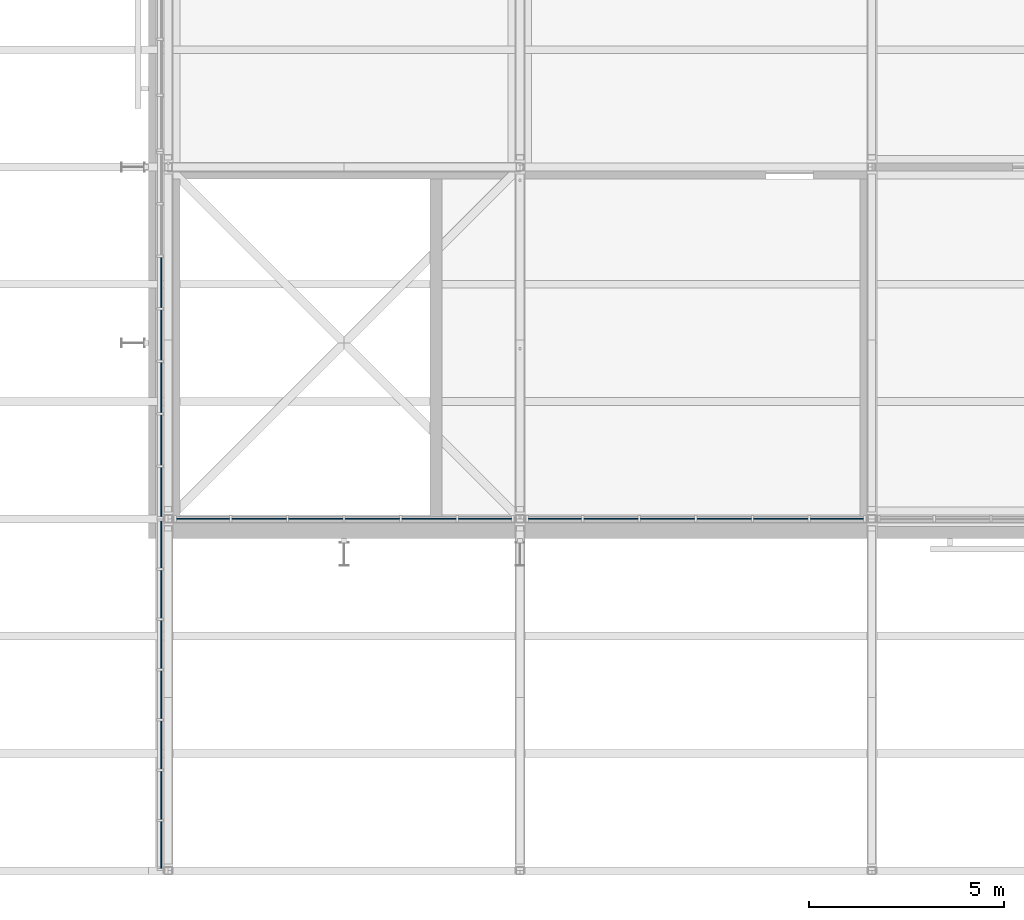
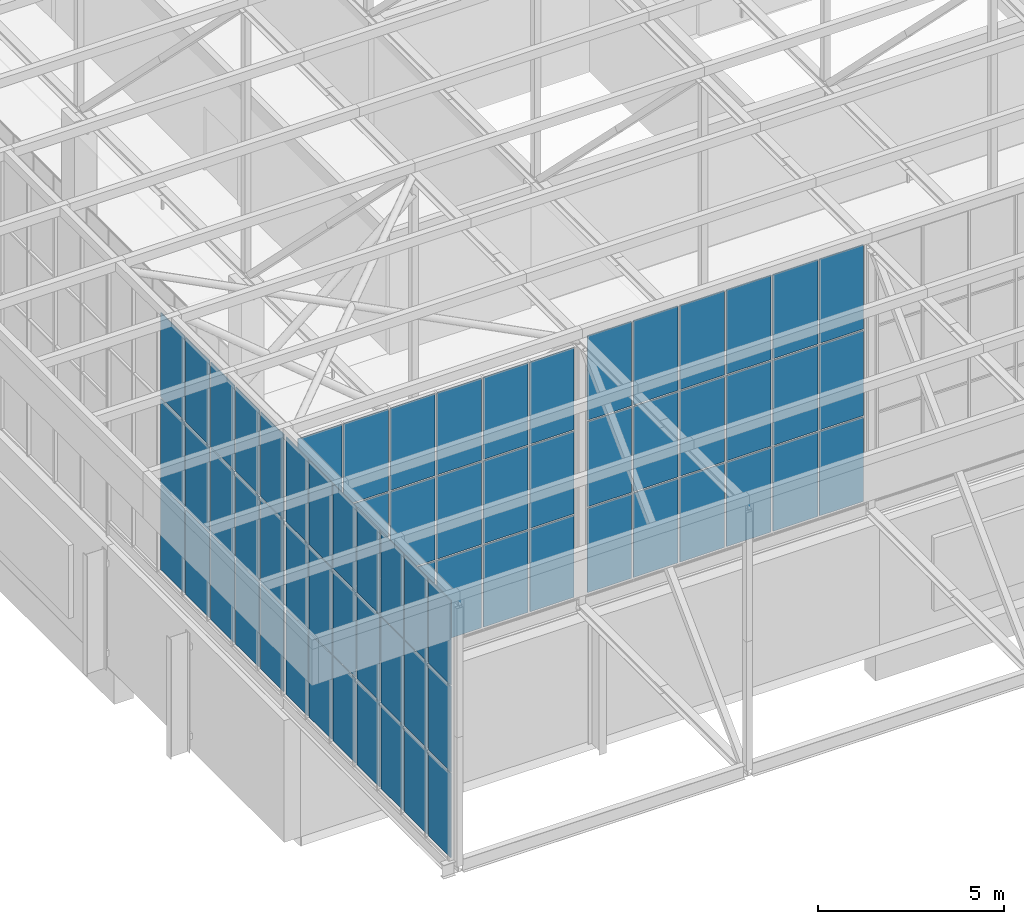
# One storey, part 141 of 646: 72 plates, 4 elements without a shape of their own.
"""IFC4 building model written with IfcOpenShell, lengths in metres."""

import ifcopenshell
import ifcopenshell.guid

model = None  # the IFC model being written
_history = None  # IfcOwnerHistory: only IFC2X3 demands one
_inside = {}  # id of a spatial element -> (the spatial element, [elements in it])
_under = {}  # id of a project, library or spatial element -> (it, [spatial elements below it])
_declared = {}  # id of a project -> (the project, [libraries it declares])
_typed = {}  # id of a type object -> (the type object, [elements of that type])
_made_of = {}  # id of a material, layer set ... -> (it, [elements and type objects made of it])


def new_model(schema):
    """Start an empty IFC model of exactly this schema.

    Asked for "IFC4X3", IfcOpenShell would pick the latest addendum, in which some entities
    have other attributes; the version numbers below select the first issue.
    IFC2X3 requires an IfcOwnerHistory on every rooted entity: one is made here for all.
    """
    global model, _history
    if schema == "IFC4X3":
        model = ifcopenshell.file(schema_version=(4, 3, 0, 0))
    else:
        model = ifcopenshell.file(schema=schema)
    _inside.clear()
    _under.clear()
    _declared.clear()
    _typed.clear()
    _made_of.clear()
    _history = None
    if model.schema == "IFC2X3":
        org = make("IfcOrganization", Name="unknown")
        user = make(
            "IfcPersonAndOrganization",
            ThePerson=make("IfcPerson", FamilyName="unknown"),
            TheOrganization=org,
        )
        app = make(
            "IfcApplication",
            ApplicationDeveloper=org,
            Version="unknown",
            ApplicationFullName="unknown",
            ApplicationIdentifier="unknown",
        )
        _history = make(
            "IfcOwnerHistory",
            OwningUser=user,
            OwningApplication=app,
            ChangeAction="ADDED",
            CreationDate=0,
        )
    return model


def make(cls, **values):
    """One entity of the class cls with the attributes given. An attribute that is None is left unset."""
    return model.create_entity(
        cls, **{name: value for name, value in values.items() if value is not None}
    )


def rooted(cls, **values):
    """An entity with a GlobalId (a new one), such as an element, a storey or a relation."""
    return make(cls, GlobalId=ifcopenshell.guid.new(), OwnerHistory=_history, **values)


def si_unit(unit_type, name, prefix=None):
    """IfcSIUnit, for example si_unit("LENGTHUNIT", "METRE", prefix="MILLI")."""
    return make("IfcSIUnit", UnitType=unit_type, Prefix=prefix, Name=name)


def assignment(units):
    """IfcUnitAssignment: the units of a project."""
    return None if units is None else make("IfcUnitAssignment", Units=units)


def point(xyz):
    """IfcCartesianPoint."""
    return None if xyz is None else make("IfcCartesianPoint", Coordinates=xyz)


def direction(xyz):
    """IfcDirection."""
    return None if xyz is None else make("IfcDirection", DirectionRatios=xyz)


def frame(location, z_axis=None, x_axis=None):
    """IfcAxis2Placement3D, a coordinate frame: its origin and axes. An axis left out is left unset."""
    return make(
        "IfcAxis2Placement3D",
        Location=point(location),
        Axis=direction(z_axis),
        RefDirection=direction(x_axis),
    )


def frame_2d(location, x_axis=None):
    """IfcAxis2Placement2D, a coordinate frame in the plane: its origin and x axis."""
    return make(
        "IfcAxis2Placement2D", Location=point(location), RefDirection=direction(x_axis)
    )


def origin():
    """The frame at (0, 0, 0) with its axes left unset."""
    return frame((0.0, 0.0, 0.0))


def origin_2d():
    """The frame at (0, 0) in the plane with its x axis left unset."""
    return frame_2d((0.0, 0.0))


def place(relative_to, where):
    """IfcLocalPlacement: puts the frame where relative to a parent placement (None: the world)."""
    return make(
        "IfcLocalPlacement", PlacementRelTo=relative_to, RelativePlacement=where
    )


def context(
    kind, dimensions, precision=None, world=None, true_north=None, identifier=None
):
    """IfcGeometricRepresentationContext, for example the 3D "Model" context."""
    return make(
        "IfcGeometricRepresentationContext",
        ContextIdentifier=identifier,
        ContextType=kind,
        CoordinateSpaceDimension=dimensions,
        Precision=precision,
        WorldCoordinateSystem=world,
        TrueNorth=true_north,
    )


def subcontext(parent, identifier, kind, view, scale=None):
    """IfcGeometricRepresentationSubContext, for example "Body" below "Model"."""
    return make(
        "IfcGeometricRepresentationSubContext",
        ContextIdentifier=identifier,
        ContextType=kind,
        ParentContext=parent,
        TargetScale=scale,
        TargetView=view,
    )


def project(units=None, contexts=None):
    """IfcProject with its units and contexts."""
    return rooted(
        "IfcProject",
        Name="project",
        RepresentationContexts=contexts,
        UnitsInContext=assignment(units),
    )


def spatial(cls, under=None, at=None, **own):
    """A site, building, storey or space (cls), placed at a placement, below another one or the project."""
    s = rooted(cls, ObjectPlacement=at, **own)
    if under is not None:
        _under.setdefault(under.id(), (under, []))[1].append(s)
    return s


def profile(cls, at=None, kind="AREA", **sizes):
    """A parametric profile (cls). Its sizes go by their IFC names, for example OverallWidth=200.0."""
    return make(cls, ProfileType=kind, Position=at, **sizes)


def rectangle(**sizes):
    """IfcRectangleProfileDef."""
    return profile("IfcRectangleProfileDef", **sizes)


def extrude(swept, where, along, depth):
    """IfcExtrudedAreaSolid: the profile swept, set in the frame where, extruded along a direction by depth."""
    return make(
        "IfcExtrudedAreaSolid",
        SweptArea=swept,
        Position=where,
        ExtrudedDirection=direction(along),
        Depth=depth,
    )


def shape(context_of_items, identifier, shape_type, items):
    """IfcShapeRepresentation: the items that make up one representation, for example the "Body"."""
    return make(
        "IfcShapeRepresentation",
        ContextOfItems=context_of_items,
        RepresentationIdentifier=identifier,
        RepresentationType=shape_type,
        Items=items,
    )


def material(Name=None, Category=None):
    """IfcMaterial."""
    return make("IfcMaterial", Name=Name, Category=Category)


def layer(
    of_material, thickness, ventilated=None, Name=None, Category=None, Priority=None
):
    """IfcMaterialLayer: one layer of a wall or slab, of a material (None: an air gap)."""
    return make(
        "IfcMaterialLayer",
        Material=of_material,
        LayerThickness=thickness,
        IsVentilated=ventilated,
        Name=Name,
        Category=Category,
        Priority=Priority,
    )


def layer_set(layers, Name=None):
    """IfcMaterialLayerSet."""
    return make("IfcMaterialLayerSet", MaterialLayers=layers, LayerSetName=Name)


def made_of(thing, what):
    """Note that an element or type object is made of a material, layer set ...; save() writes the relation."""
    if what is not None:
        _made_of.setdefault(what.id(), (what, []))[1].append(thing)
    return thing


def type_object(cls, material=None, **own):
    """A type object (cls), such as IfcWallType, which elements share."""
    return made_of(rooted(cls, **own), material)


def element(
    cls,
    number,
    at=None,
    inside=None,
    cuts=None,
    type_object=None,
    material=None,
    context=None,
    identifier="Body",
    shape_type=None,
    held_by="IfcProductDefinitionShape",
    body=None,
    shapes=None,
    **own,
):
    """One element of the class cls, such as IfcWall. Its Tag is "e" and its number.

    at: its placement. inside: the storey or other place that contains it. cuts: it is an
    opening in that element (IfcRelVoidsElement). A single representation is given by context,
    identifier, shape_type and body (its items); several are given by shapes. held_by: the class
    of the entity that holds the representations. save() writes the other relations.
    """
    e = rooted(cls, Tag="e%d" % number, ObjectPlacement=at, **own)
    if body is not None:
        shapes = [shape(context, identifier, shape_type, body)]
    if shapes is not None:
        e.Representation = make(held_by, Representations=shapes)
    if inside is not None:
        _inside.setdefault(inside.id(), (inside, []))[1].append(e)
    if cuts is not None:
        rooted(
            "IfcRelVoidsElement", RelatingBuildingElement=cuts, RelatedOpeningElement=e
        )
    if type_object is not None:
        _typed.setdefault(type_object.id(), (type_object, []))[1].append(e)
    return made_of(e, material)


def aggregate(whole, parts):
    """IfcRelAggregates: a whole, such as a stair, and the parts it consists of."""
    return rooted("IfcRelAggregates", RelatingObject=whole, RelatedObjects=parts)


def save(model, path):
    """Write the relations noted so far, then the file.

    IfcRelAggregates (storeys below a building ...), IfcRelContainedInSpatialStructure (elements
    in a storey), IfcRelDefinesByType, IfcRelAssociatesMaterial and IfcRelDeclares: one each for
    every whole, place, type object, material and project.
    """
    for whole, parts in _under.values():
        aggregate(whole, parts)
    for where, things in _inside.values():
        rooted(
            "IfcRelContainedInSpatialStructure",
            RelatedElements=things,
            RelatingStructure=where,
        )
    for kind, things in _typed.values():
        rooted("IfcRelDefinesByType", RelatedObjects=things, RelatingType=kind)
    for what, things in _made_of.values():
        rooted("IfcRelAssociatesMaterial", RelatedObjects=things, RelatingMaterial=what)
    for by, libraries in _declared.values():
        rooted("IfcRelDeclares", RelatingContext=by, RelatedDefinitions=libraries)
    model.write(path)


model = new_model("IFC4")

# Units and contexts
model_context = context("Model", 3, precision=1e-05, world=origin(), true_north=direction((0.0, 1.0)))
body_context = subcontext(model_context, "Body", "Model", "MODEL_VIEW")
ifc_project = project(units=[si_unit("LENGTHUNIT", "METRE"), si_unit("AREAUNIT", "SQUARE_METRE"), si_unit("VOLUMEUNIT", "CUBIC_METRE"), si_unit("PLANEANGLEUNIT", "RADIAN"), si_unit("MASSUNIT", "GRAM", prefix="KILO")], contexts=[model_context])

# Site, building, storey
site_placement = place(None, origin())
site = spatial("IfcSite", under=ifc_project, at=site_placement, CompositionType="ELEMENT")
building_placement = place(site_placement, origin())
building = spatial("IfcBuilding", under=site, at=building_placement, Name="Silverbay Arena", CompositionType="ELEMENT")
storey_placement = place(building_placement, frame((0.0, 0.0, 33.5)))
storey = spatial("IfcBuildingStorey", under=building, at=storey_placement, Name="L05", CompositionType="ELEMENT", Elevation=33.5)

# Curtain wall, plates
ifc_material_1 = material(Name="Aluminium framed glazing", Category="aluminium")
curtain_wall_type_1 = type_object("IfcCurtainWallType", Name="Curtain wall clerestory 8693 x 8303", PredefinedType="NOTDEFINED", material=ifc_material_1)
curtain_wall_1_placement = place(storey_placement, origin())
curtain_wall_1 = element("IfcCurtainWall", 1, at=curtain_wall_1_placement, inside=storey, type_object=curtain_wall_type_1, Name="ROOF CLERESTORY CURTAIN WALL south bay 01", PredefinedType="NOTDEFINED")
ifc_material_2 = material(Name="Laminated glass", Category="glass")
ifc_layer = layer(ifc_material_2, 0.028076171875)
ifc_layer_set = layer_set([ifc_layer], Name="Laminated glass")
plate_type = type_object("IfcPlateType", Name="Glass panel 28", PredefinedType="CURTAIN_PANEL", material=ifc_layer_set)
plate_1_placement = place(storey_placement, frame((54.89306640625, 18.0, 4.510009765625), z_axis=(0.0, 0.0, 1.0), x_axis=(1.0, 0.0, 0.0)))
plate_1 = element("IfcPlate", 2, at=plate_1_placement, type_object=plate_type, Name="CW54 panel 1.1", PredefinedType="CURTAIN_PANEL", context=body_context, shape_type="SweptSolid", body=[
    extrude(rectangle(XDim=1.35888671875, YDim=0.028076171875, at=origin_2d()), origin(), (0.0, 0.0, 1.0), 2.69287109375),
])
plate_2_placement = place(storey_placement, frame((54.89306640625, 18.0, 7.2529296875), z_axis=(0.0, 0.0, 1.0), x_axis=(1.0, 0.0, 0.0)))
plate_2 = element("IfcPlate", 3, at=plate_2_placement, type_object=plate_type, Name="CW54 panel 1.2", PredefinedType="CURTAIN_PANEL", context=body_context, shape_type="SweptSolid", body=[
    extrude(rectangle(XDim=1.35888671875, YDim=0.028076171875, at=origin_2d()), origin(), (0.0, 0.0, 1.0), 2.7177734375),
])
plate_3_placement = place(storey_placement, frame((54.89306640625, 18.0, 10.0205078125), z_axis=(0.0, 0.0, 1.0), x_axis=(1.0, 0.0, 0.0)))
plate_3 = element("IfcPlate", 4, at=plate_3_placement, type_object=plate_type, Name="CW54 panel 1.3", PredefinedType="CURTAIN_PANEL", context=body_context, shape_type="SweptSolid", body=[
    extrude(rectangle(XDim=1.35888671875, YDim=0.028076171875, at=origin_2d()), origin(), (0.0, 0.0, 1.0), 2.69287109375),
])
plate_4_placement = place(storey_placement, frame((56.326904296875, 18.0, 4.510009765625), z_axis=(0.0, 0.0, 1.0), x_axis=(1.0, 0.0, 0.0)))
plate_4 = element("IfcPlate", 5, at=plate_4_placement, type_object=plate_type, Name="CW54 panel 2.1", PredefinedType="CURTAIN_PANEL", context=body_context, shape_type="SweptSolid", body=[
    extrude(rectangle(XDim=1.388671875, YDim=0.028076171875, at=origin_2d()), origin(), (0.0, 0.0, 1.0), 2.69287109375),
])
plate_5_placement = place(storey_placement, frame((56.326904296875, 18.0, 7.2529296875), z_axis=(0.0, 0.0, 1.0), x_axis=(1.0, 0.0, 0.0)))
plate_5 = element("IfcPlate", 6, at=plate_5_placement, type_object=plate_type, Name="CW54 panel 2.2", PredefinedType="CURTAIN_PANEL", context=body_context, shape_type="SweptSolid", body=[
    extrude(rectangle(XDim=1.388671875, YDim=0.028076171875, at=origin_2d()), origin(), (0.0, 0.0, 1.0), 2.7177734375),
])
plate_6_placement = place(storey_placement, frame((56.326904296875, 18.0, 10.0205078125), z_axis=(0.0, 0.0, 1.0), x_axis=(1.0, 0.0, 0.0)))
plate_6 = element("IfcPlate", 7, at=plate_6_placement, type_object=plate_type, Name="CW54 panel 2.3", PredefinedType="CURTAIN_PANEL", context=body_context, shape_type="SweptSolid", body=[
    extrude(rectangle(XDim=1.388671875, YDim=0.028076171875, at=origin_2d()), origin(), (0.0, 0.0, 1.0), 2.69287109375),
])
plate_7_placement = place(storey_placement, frame((57.775634765625, 18.0, 4.510009765625), z_axis=(0.0, 0.0, 1.0), x_axis=(1.0, 0.0, 0.0)))
plate_7 = element("IfcPlate", 8, at=plate_7_placement, type_object=plate_type, Name="CW54 panel 3.1", PredefinedType="CURTAIN_PANEL", context=body_context, shape_type="SweptSolid", body=[
    extrude(rectangle(XDim=1.388671875, YDim=0.028076171875, at=origin_2d()), origin(), (0.0, 0.0, 1.0), 2.69287109375),
])
plate_8_placement = place(storey_placement, frame((57.775634765625, 18.0, 7.2529296875), z_axis=(0.0, 0.0, 1.0), x_axis=(1.0, 0.0, 0.0)))
plate_8 = element("IfcPlate", 9, at=plate_8_placement, type_object=plate_type, Name="CW54 panel 3.2", PredefinedType="CURTAIN_PANEL", context=body_context, shape_type="SweptSolid", body=[
    extrude(rectangle(XDim=1.388671875, YDim=0.028076171875, at=origin_2d()), origin(), (0.0, 0.0, 1.0), 2.7177734375),
])
plate_9_placement = place(storey_placement, frame((57.775634765625, 18.0, 10.0205078125), z_axis=(0.0, 0.0, 1.0), x_axis=(1.0, 0.0, 0.0)))
plate_9 = element("IfcPlate", 10, at=plate_9_placement, type_object=plate_type, Name="CW54 panel 3.3", PredefinedType="CURTAIN_PANEL", context=body_context, shape_type="SweptSolid", body=[
    extrude(rectangle(XDim=1.388671875, YDim=0.028076171875, at=origin_2d()), origin(), (0.0, 0.0, 1.0), 2.69287109375),
])
plate_10_placement = place(storey_placement, frame((59.224365234375, 18.0, 4.510009765625), z_axis=(0.0, 0.0, 1.0), x_axis=(1.0, 0.0, 0.0)))
plate_10 = element("IfcPlate", 11, at=plate_10_placement, type_object=plate_type, Name="CW54 panel 4.1", PredefinedType="CURTAIN_PANEL", context=body_context, shape_type="SweptSolid", body=[
    extrude(rectangle(XDim=1.388671875, YDim=0.028076171875, at=origin_2d()), origin(), (0.0, 0.0, 1.0), 2.69287109375),
])
plate_11_placement = place(storey_placement, frame((59.224365234375, 18.0, 7.2529296875), z_axis=(0.0, 0.0, 1.0), x_axis=(1.0, 0.0, 0.0)))
plate_11 = element("IfcPlate", 12, at=plate_11_placement, type_object=plate_type, Name="CW54 panel 4.2", PredefinedType="CURTAIN_PANEL", context=body_context, shape_type="SweptSolid", body=[
    extrude(rectangle(XDim=1.388671875, YDim=0.028076171875, at=origin_2d()), origin(), (0.0, 0.0, 1.0), 2.7177734375),
])
plate_12_placement = place(storey_placement, frame((59.224365234375, 18.0, 10.0205078125), z_axis=(0.0, 0.0, 1.0), x_axis=(1.0, 0.0, 0.0)))
plate_12 = element("IfcPlate", 13, at=plate_12_placement, type_object=plate_type, Name="CW54 panel 4.3", PredefinedType="CURTAIN_PANEL", context=body_context, shape_type="SweptSolid", body=[
    extrude(rectangle(XDim=1.388671875, YDim=0.028076171875, at=origin_2d()), origin(), (0.0, 0.0, 1.0), 2.69287109375),
])
plate_13_placement = place(storey_placement, frame((60.673095703125, 18.0, 4.510009765625), z_axis=(0.0, 0.0, 1.0), x_axis=(1.0, 0.0, 0.0)))
plate_13 = element("IfcPlate", 14, at=plate_13_placement, type_object=plate_type, Name="CW54 panel 5.1", PredefinedType="CURTAIN_PANEL", context=body_context, shape_type="SweptSolid", body=[
    extrude(rectangle(XDim=1.388671875, YDim=0.028076171875, at=origin_2d()), origin(), (0.0, 0.0, 1.0), 2.69287109375),
])
plate_14_placement = place(storey_placement, frame((60.673095703125, 18.0, 7.2529296875), z_axis=(0.0, 0.0, 1.0), x_axis=(1.0, 0.0, 0.0)))
plate_14 = element("IfcPlate", 15, at=plate_14_placement, type_object=plate_type, Name="CW54 panel 5.2", PredefinedType="CURTAIN_PANEL", context=body_context, shape_type="SweptSolid", body=[
    extrude(rectangle(XDim=1.388671875, YDim=0.028076171875, at=origin_2d()), origin(), (0.0, 0.0, 1.0), 2.7177734375),
])
plate_15_placement = place(storey_placement, frame((60.673095703125, 18.0, 10.0205078125), z_axis=(0.0, 0.0, 1.0), x_axis=(1.0, 0.0, 0.0)))
plate_15 = element("IfcPlate", 16, at=plate_15_placement, type_object=plate_type, Name="CW54 panel 5.3", PredefinedType="CURTAIN_PANEL", context=body_context, shape_type="SweptSolid", body=[
    extrude(rectangle(XDim=1.388671875, YDim=0.028076171875, at=origin_2d()), origin(), (0.0, 0.0, 1.0), 2.69287109375),
])
plate_16_placement = place(storey_placement, frame((62.10693359375, 18.0, 4.510009765625), z_axis=(0.0, 0.0, 1.0), x_axis=(1.0, 0.0, 0.0)))
plate_16 = element("IfcPlate", 17, at=plate_16_placement, type_object=plate_type, Name="CW54 panel 6.1", PredefinedType="CURTAIN_PANEL", context=body_context, shape_type="SweptSolid", body=[
    extrude(rectangle(XDim=1.35888671875, YDim=0.028076171875, at=origin_2d()), origin(), (0.0, 0.0, 1.0), 2.69287109375),
])
plate_17_placement = place(storey_placement, frame((62.10693359375, 18.0, 7.2529296875), z_axis=(0.0, 0.0, 1.0), x_axis=(1.0, 0.0, 0.0)))
plate_17 = element("IfcPlate", 18, at=plate_17_placement, type_object=plate_type, Name="CW54 panel 6.2", PredefinedType="CURTAIN_PANEL", context=body_context, shape_type="SweptSolid", body=[
    extrude(rectangle(XDim=1.35888671875, YDim=0.028076171875, at=origin_2d()), origin(), (0.0, 0.0, 1.0), 2.7177734375),
])
plate_18_placement = place(storey_placement, frame((62.10693359375, 18.0, 10.0205078125), z_axis=(0.0, 0.0, 1.0), x_axis=(1.0, 0.0, 0.0)))
plate_18 = element("IfcPlate", 19, at=plate_18_placement, type_object=plate_type, Name="CW54 panel 6.3", PredefinedType="CURTAIN_PANEL", context=body_context, shape_type="SweptSolid", body=[
    extrude(rectangle(XDim=1.35888671875, YDim=0.028076171875, at=origin_2d()), origin(), (0.0, 0.0, 1.0), 2.69287109375),
])
aggregate(curtain_wall_1, [plate_1, plate_2, plate_3, plate_4, plate_5, plate_6, plate_7, plate_8, plate_9, plate_10, plate_11, plate_12, plate_13, plate_14, plate_15, plate_16, plate_17, plate_18])

ifc_material_3 = material(Name="Aluminium framed glazing", Category="aluminium")
curtain_wall_type_2 = type_object("IfcCurtainWallType", Name="Curtain wall clerestory 8693 x 8540", PredefinedType="NOTDEFINED", material=ifc_material_3)
curtain_wall_2_placement = place(storey_placement, origin())
curtain_wall_2 = element("IfcCurtainWall", 20, at=curtain_wall_2_placement, inside=storey, type_object=curtain_wall_type_2, Name="ROOF CLERESTORY CURTAIN WALL south bay 02", PredefinedType="NOTDEFINED")
plate_19_placement = place(storey_placement, frame((63.89306640625, 18.0, 4.509765625), z_axis=(0.0, 0.0, 1.0), x_axis=(1.0, 0.0, 0.0)))
plate_19 = element("IfcPlate", 21, at=plate_19_placement, type_object=plate_type, Name="CW55 panel 1.1", PredefinedType="CURTAIN_PANEL", context=body_context, shape_type="SweptSolid", body=[
    extrude(rectangle(XDim=1.35888671875, YDim=0.028076171875, at=origin_2d()), origin(), (0.0, 0.0, 1.0), 2.771728515625),
])
plate_20_placement = place(storey_placement, frame((63.89306640625, 18.0, 7.33154296875), z_axis=(0.0, 0.0, 1.0), x_axis=(1.0, 0.0, 0.0)))
plate_20 = element("IfcPlate", 22, at=plate_20_placement, type_object=plate_type, Name="CW55 panel 1.2", PredefinedType="CURTAIN_PANEL", context=body_context, shape_type="SweptSolid", body=[
    extrude(rectangle(XDim=1.35888671875, YDim=0.028076171875, at=origin_2d()), origin(), (0.0, 0.0, 1.0), 2.796630859375),
])
plate_21_placement = place(storey_placement, frame((63.89306640625, 18.0, 10.17822265625), z_axis=(0.0, 0.0, 1.0), x_axis=(1.0, 0.0, 0.0)))
plate_21 = element("IfcPlate", 23, at=plate_21_placement, type_object=plate_type, Name="CW55 panel 1.3", PredefinedType="CURTAIN_PANEL", context=body_context, shape_type="SweptSolid", body=[
    extrude(rectangle(XDim=1.35888671875, YDim=0.028076171875, at=origin_2d()), origin(), (0.0, 0.0, 1.0), 2.771728515625),
])
plate_22_placement = place(storey_placement, frame((65.326904296875, 18.0, 4.509765625), z_axis=(0.0, 0.0, 1.0), x_axis=(1.0, 0.0, 0.0)))
plate_22 = element("IfcPlate", 24, at=plate_22_placement, type_object=plate_type, Name="CW55 panel 2.1", PredefinedType="CURTAIN_PANEL", context=body_context, shape_type="SweptSolid", body=[
    extrude(rectangle(XDim=1.388671875, YDim=0.028076171875, at=origin_2d()), origin(), (0.0, 0.0, 1.0), 2.771728515625),
])
plate_23_placement = place(storey_placement, frame((65.326904296875, 18.0, 7.33154296875), z_axis=(0.0, 0.0, 1.0), x_axis=(1.0, 0.0, 0.0)))
plate_23 = element("IfcPlate", 25, at=plate_23_placement, type_object=plate_type, Name="CW55 panel 2.2", PredefinedType="CURTAIN_PANEL", context=body_context, shape_type="SweptSolid", body=[
    extrude(rectangle(XDim=1.388671875, YDim=0.028076171875, at=origin_2d()), origin(), (0.0, 0.0, 1.0), 2.796630859375),
])
plate_24_placement = place(storey_placement, frame((65.326904296875, 18.0, 10.17822265625), z_axis=(0.0, 0.0, 1.0), x_axis=(1.0, 0.0, 0.0)))
plate_24 = element("IfcPlate", 26, at=plate_24_placement, type_object=plate_type, Name="CW55 panel 2.3", PredefinedType="CURTAIN_PANEL", context=body_context, shape_type="SweptSolid", body=[
    extrude(rectangle(XDim=1.388671875, YDim=0.028076171875, at=origin_2d()), origin(), (0.0, 0.0, 1.0), 2.771728515625),
])
plate_25_placement = place(storey_placement, frame((66.775634765625, 18.0, 4.509765625), z_axis=(0.0, 0.0, 1.0), x_axis=(1.0, 0.0, 0.0)))
plate_25 = element("IfcPlate", 27, at=plate_25_placement, type_object=plate_type, Name="CW55 panel 3.1", PredefinedType="CURTAIN_PANEL", context=body_context, shape_type="SweptSolid", body=[
    extrude(rectangle(XDim=1.388671875, YDim=0.028076171875, at=origin_2d()), origin(), (0.0, 0.0, 1.0), 2.771728515625),
])
plate_26_placement = place(storey_placement, frame((66.775634765625, 18.0, 7.33154296875), z_axis=(0.0, 0.0, 1.0), x_axis=(1.0, 0.0, 0.0)))
plate_26 = element("IfcPlate", 28, at=plate_26_placement, type_object=plate_type, Name="CW55 panel 3.2", PredefinedType="CURTAIN_PANEL", context=body_context, shape_type="SweptSolid", body=[
    extrude(rectangle(XDim=1.388671875, YDim=0.028076171875, at=origin_2d()), origin(), (0.0, 0.0, 1.0), 2.796630859375),
])
plate_27_placement = place(storey_placement, frame((66.775634765625, 18.0, 10.17822265625), z_axis=(0.0, 0.0, 1.0), x_axis=(1.0, 0.0, 0.0)))
plate_27 = element("IfcPlate", 29, at=plate_27_placement, type_object=plate_type, Name="CW55 panel 3.3", PredefinedType="CURTAIN_PANEL", context=body_context, shape_type="SweptSolid", body=[
    extrude(rectangle(XDim=1.388671875, YDim=0.028076171875, at=origin_2d()), origin(), (0.0, 0.0, 1.0), 2.771728515625),
])
plate_28_placement = place(storey_placement, frame((68.224365234375, 18.0, 4.509765625), z_axis=(0.0, 0.0, 1.0), x_axis=(1.0, 0.0, 0.0)))
plate_28 = element("IfcPlate", 30, at=plate_28_placement, type_object=plate_type, Name="CW55 panel 4.1", PredefinedType="CURTAIN_PANEL", context=body_context, shape_type="SweptSolid", body=[
    extrude(rectangle(XDim=1.388671875, YDim=0.028076171875, at=origin_2d()), origin(), (0.0, 0.0, 1.0), 2.771728515625),
])
plate_29_placement = place(storey_placement, frame((68.224365234375, 18.0, 7.33154296875), z_axis=(0.0, 0.0, 1.0), x_axis=(1.0, 0.0, 0.0)))
plate_29 = element("IfcPlate", 31, at=plate_29_placement, type_object=plate_type, Name="CW55 panel 4.2", PredefinedType="CURTAIN_PANEL", context=body_context, shape_type="SweptSolid", body=[
    extrude(rectangle(XDim=1.388671875, YDim=0.028076171875, at=origin_2d()), origin(), (0.0, 0.0, 1.0), 2.796630859375),
])
plate_30_placement = place(storey_placement, frame((68.224365234375, 18.0, 10.17822265625), z_axis=(0.0, 0.0, 1.0), x_axis=(1.0, 0.0, 0.0)))
plate_30 = element("IfcPlate", 32, at=plate_30_placement, type_object=plate_type, Name="CW55 panel 4.3", PredefinedType="CURTAIN_PANEL", context=body_context, shape_type="SweptSolid", body=[
    extrude(rectangle(XDim=1.388671875, YDim=0.028076171875, at=origin_2d()), origin(), (0.0, 0.0, 1.0), 2.771728515625),
])
plate_31_placement = place(storey_placement, frame((69.673095703125, 18.0, 4.509765625), z_axis=(0.0, 0.0, 1.0), x_axis=(1.0, 0.0, 0.0)))
plate_31 = element("IfcPlate", 33, at=plate_31_placement, type_object=plate_type, Name="CW55 panel 5.1", PredefinedType="CURTAIN_PANEL", context=body_context, shape_type="SweptSolid", body=[
    extrude(rectangle(XDim=1.388671875, YDim=0.028076171875, at=origin_2d()), origin(), (0.0, 0.0, 1.0), 2.771728515625),
])
plate_32_placement = place(storey_placement, frame((69.673095703125, 18.0, 7.33154296875), z_axis=(0.0, 0.0, 1.0), x_axis=(1.0, 0.0, 0.0)))
plate_32 = element("IfcPlate", 34, at=plate_32_placement, type_object=plate_type, Name="CW55 panel 5.2", PredefinedType="CURTAIN_PANEL", context=body_context, shape_type="SweptSolid", body=[
    extrude(rectangle(XDim=1.388671875, YDim=0.028076171875, at=origin_2d()), origin(), (0.0, 0.0, 1.0), 2.796630859375),
])
plate_33_placement = place(storey_placement, frame((69.673095703125, 18.0, 10.17822265625), z_axis=(0.0, 0.0, 1.0), x_axis=(1.0, 0.0, 0.0)))
plate_33 = element("IfcPlate", 35, at=plate_33_placement, type_object=plate_type, Name="CW55 panel 5.3", PredefinedType="CURTAIN_PANEL", context=body_context, shape_type="SweptSolid", body=[
    extrude(rectangle(XDim=1.388671875, YDim=0.028076171875, at=origin_2d()), origin(), (0.0, 0.0, 1.0), 2.771728515625),
])
plate_34_placement = place(storey_placement, frame((71.10693359375, 18.0, 4.509765625), z_axis=(0.0, 0.0, 1.0), x_axis=(1.0, 0.0, 0.0)))
plate_34 = element("IfcPlate", 36, at=plate_34_placement, type_object=plate_type, Name="CW55 panel 6.1", PredefinedType="CURTAIN_PANEL", context=body_context, shape_type="SweptSolid", body=[
    extrude(rectangle(XDim=1.35888671875, YDim=0.028076171875, at=origin_2d()), origin(), (0.0, 0.0, 1.0), 2.771728515625),
])
plate_35_placement = place(storey_placement, frame((71.10693359375, 18.0, 7.33154296875), z_axis=(0.0, 0.0, 1.0), x_axis=(1.0, 0.0, 0.0)))
plate_35 = element("IfcPlate", 37, at=plate_35_placement, type_object=plate_type, Name="CW55 panel 6.2", PredefinedType="CURTAIN_PANEL", context=body_context, shape_type="SweptSolid", body=[
    extrude(rectangle(XDim=1.35888671875, YDim=0.028076171875, at=origin_2d()), origin(), (0.0, 0.0, 1.0), 2.796630859375),
])
plate_36_placement = place(storey_placement, frame((71.10693359375, 18.0, 10.17822265625), z_axis=(0.0, 0.0, 1.0), x_axis=(1.0, 0.0, 0.0)))
plate_36 = element("IfcPlate", 38, at=plate_36_placement, type_object=plate_type, Name="CW55 panel 6.3", PredefinedType="CURTAIN_PANEL", context=body_context, shape_type="SweptSolid", body=[
    extrude(rectangle(XDim=1.35888671875, YDim=0.028076171875, at=origin_2d()), origin(), (0.0, 0.0, 1.0), 2.771728515625),
])
aggregate(curtain_wall_2, [plate_19, plate_20, plate_21, plate_22, plate_23, plate_24, plate_25, plate_26, plate_27, plate_28, plate_29, plate_30, plate_31, plate_32, plate_33, plate_34, plate_35, plate_36])

ifc_material_4 = material(Name="Aluminium framed glazing", Category="aluminium")
curtain_wall_type_3 = type_object("IfcCurtainWallType", Name="Curtain wall clerestory 9000 x 8547", PredefinedType="NOTDEFINED", material=ifc_material_4)
curtain_wall_3_placement = place(storey_placement, origin())
curtain_wall_3 = element("IfcCurtainWall", 39, at=curtain_wall_3_placement, inside=storey, type_object=curtain_wall_type_3, Name="ROOF GABLE CLERESTORY CURTAIN WALL west bay 01", PredefinedType="NOTDEFINED")
plate_37_placement = place(storey_placement, frame((53.820068359375, 9.657958984375, 4.50341796875), z_axis=(0.0, 0.0, 1.0), x_axis=(0.0, 1.0, 0.0)))
plate_37 = element("IfcPlate", 40, at=plate_37_placement, type_object=plate_type, Name="CW57 panel 1.1", PredefinedType="CURTAIN_PANEL", context=body_context, shape_type="SweptSolid", body=[
    extrude(rectangle(XDim=1.19580078125, YDim=0.028076171875, at=origin_2d()), origin(), (0.0, 0.0, 1.0), 2.77392578125),
])
plate_38_placement = place(storey_placement, frame((53.820068359375, 9.657958984375, 7.327392578125), z_axis=(0.0, 0.0, 1.0), x_axis=(0.0, 1.0, 0.0)))
plate_38 = element("IfcPlate", 41, at=plate_38_placement, type_object=plate_type, Name="CW57 panel 1.2", PredefinedType="CURTAIN_PANEL", context=body_context, shape_type="SweptSolid", body=[
    extrude(rectangle(XDim=1.19580078125, YDim=0.028076171875, at=origin_2d()), origin(), (0.0, 0.0, 1.0), 2.798828125),
])
plate_39_placement = place(storey_placement, frame((53.820068359375, 9.657958984375, 10.176025390625), z_axis=(0.0, 0.0, 1.0), x_axis=(0.0, 1.0, 0.0)))
plate_39 = element("IfcPlate", 42, at=plate_39_placement, type_object=plate_type, Name="CW57 panel 1.3", PredefinedType="CURTAIN_PANEL", context=body_context, shape_type="SweptSolid", body=[
    extrude(rectangle(XDim=1.19580078125, YDim=0.028076171875, at=origin_2d()), origin(), (0.0, 0.0, 1.0), 2.77392578125),
])
plate_40_placement = place(storey_placement, frame((53.820068359375, 10.928466796875, 4.50341796875), z_axis=(0.0, 0.0, 1.0), x_axis=(0.0, 1.0, 0.0)))
plate_40 = element("IfcPlate", 43, at=plate_40_placement, type_object=plate_type, Name="CW57 panel 2.1", PredefinedType="CURTAIN_PANEL", context=body_context, shape_type="SweptSolid", body=[
    extrude(rectangle(XDim=1.225830078125, YDim=0.028076171875, at=origin_2d()), origin(), (0.0, 0.0, 1.0), 2.77392578125),
])
plate_41_placement = place(storey_placement, frame((53.820068359375, 10.928466796875, 7.327392578125), z_axis=(0.0, 0.0, 1.0), x_axis=(0.0, 1.0, 0.0)))
plate_41 = element("IfcPlate", 44, at=plate_41_placement, type_object=plate_type, Name="CW57 panel 2.2", PredefinedType="CURTAIN_PANEL", context=body_context, shape_type="SweptSolid", body=[
    extrude(rectangle(XDim=1.225830078125, YDim=0.028076171875, at=origin_2d()), origin(), (0.0, 0.0, 1.0), 2.798828125),
])
plate_42_placement = place(storey_placement, frame((53.820068359375, 10.928466796875, 10.176025390625), z_axis=(0.0, 0.0, 1.0), x_axis=(0.0, 1.0, 0.0)))
plate_42 = element("IfcPlate", 45, at=plate_42_placement, type_object=plate_type, Name="CW57 panel 2.3", PredefinedType="CURTAIN_PANEL", context=body_context, shape_type="SweptSolid", body=[
    extrude(rectangle(XDim=1.225830078125, YDim=0.028076171875, at=origin_2d()), origin(), (0.0, 0.0, 1.0), 2.77392578125),
])
plate_43_placement = place(storey_placement, frame((53.820068359375, 12.21435546875, 4.50341796875), z_axis=(0.0, 0.0, 1.0), x_axis=(0.0, 1.0, 0.0)))
plate_43 = element("IfcPlate", 46, at=plate_43_placement, type_object=plate_type, Name="CW57 panel 3.1", PredefinedType="CURTAIN_PANEL", context=body_context, shape_type="SweptSolid", body=[
    extrude(rectangle(XDim=1.225830078125, YDim=0.028076171875, at=origin_2d()), origin(), (0.0, 0.0, 1.0), 2.77392578125),
])
plate_44_placement = place(storey_placement, frame((53.820068359375, 12.21435546875, 7.327392578125), z_axis=(0.0, 0.0, 1.0), x_axis=(0.0, 1.0, 0.0)))
plate_44 = element("IfcPlate", 47, at=plate_44_placement, type_object=plate_type, Name="CW57 panel 3.2", PredefinedType="CURTAIN_PANEL", context=body_context, shape_type="SweptSolid", body=[
    extrude(rectangle(XDim=1.225830078125, YDim=0.028076171875, at=origin_2d()), origin(), (0.0, 0.0, 1.0), 2.798828125),
])
plate_45_placement = place(storey_placement, frame((53.820068359375, 12.21435546875, 10.176025390625), z_axis=(0.0, 0.0, 1.0), x_axis=(0.0, 1.0, 0.0)))
plate_45 = element("IfcPlate", 48, at=plate_45_placement, type_object=plate_type, Name="CW57 panel 3.3", PredefinedType="CURTAIN_PANEL", context=body_context, shape_type="SweptSolid", body=[
    extrude(rectangle(XDim=1.225830078125, YDim=0.028076171875, at=origin_2d()), origin(), (0.0, 0.0, 1.0), 2.77392578125),
])
plate_46_placement = place(storey_placement, frame((53.820068359375, 13.5, 4.50341796875), z_axis=(0.0, 0.0, 1.0), x_axis=(0.0, 1.0, 0.0)))
plate_46 = element("IfcPlate", 49, at=plate_46_placement, type_object=plate_type, Name="CW57 panel 4.1", PredefinedType="CURTAIN_PANEL", context=body_context, shape_type="SweptSolid", body=[
    extrude(rectangle(XDim=1.225830078125, YDim=0.028076171875, at=origin_2d()), origin(), (0.0, 0.0, 1.0), 2.77392578125),
])
plate_47_placement = place(storey_placement, frame((53.820068359375, 13.5, 7.327392578125), z_axis=(0.0, 0.0, 1.0), x_axis=(0.0, 1.0, 0.0)))
plate_47 = element("IfcPlate", 50, at=plate_47_placement, type_object=plate_type, Name="CW57 panel 4.2", PredefinedType="CURTAIN_PANEL", context=body_context, shape_type="SweptSolid", body=[
    extrude(rectangle(XDim=1.225830078125, YDim=0.028076171875, at=origin_2d()), origin(), (0.0, 0.0, 1.0), 2.798828125),
])
plate_48_placement = place(storey_placement, frame((53.820068359375, 13.5, 10.176025390625), z_axis=(0.0, 0.0, 1.0), x_axis=(0.0, 1.0, 0.0)))
plate_48 = element("IfcPlate", 51, at=plate_48_placement, type_object=plate_type, Name="CW57 panel 4.3", PredefinedType="CURTAIN_PANEL", context=body_context, shape_type="SweptSolid", body=[
    extrude(rectangle(XDim=1.225830078125, YDim=0.028076171875, at=origin_2d()), origin(), (0.0, 0.0, 1.0), 2.77392578125),
])
plate_49_placement = place(storey_placement, frame((53.820068359375, 14.78564453125, 4.50341796875), z_axis=(0.0, 0.0, 1.0), x_axis=(0.0, 1.0, 0.0)))
plate_49 = element("IfcPlate", 52, at=plate_49_placement, type_object=plate_type, Name="CW57 panel 5.1", PredefinedType="CURTAIN_PANEL", context=body_context, shape_type="SweptSolid", body=[
    extrude(rectangle(XDim=1.225830078125, YDim=0.028076171875, at=origin_2d()), origin(), (0.0, 0.0, 1.0), 2.77392578125),
])
plate_50_placement = place(storey_placement, frame((53.820068359375, 14.78564453125, 7.327392578125), z_axis=(0.0, 0.0, 1.0), x_axis=(0.0, 1.0, 0.0)))
plate_50 = element("IfcPlate", 53, at=plate_50_placement, type_object=plate_type, Name="CW57 panel 5.2", PredefinedType="CURTAIN_PANEL", context=body_context, shape_type="SweptSolid", body=[
    extrude(rectangle(XDim=1.225830078125, YDim=0.028076171875, at=origin_2d()), origin(), (0.0, 0.0, 1.0), 2.798828125),
])
plate_51_placement = place(storey_placement, frame((53.820068359375, 14.78564453125, 10.176025390625), z_axis=(0.0, 0.0, 1.0), x_axis=(0.0, 1.0, 0.0)))
plate_51 = element("IfcPlate", 54, at=plate_51_placement, type_object=plate_type, Name="CW57 panel 5.3", PredefinedType="CURTAIN_PANEL", context=body_context, shape_type="SweptSolid", body=[
    extrude(rectangle(XDim=1.225830078125, YDim=0.028076171875, at=origin_2d()), origin(), (0.0, 0.0, 1.0), 2.77392578125),
])
plate_52_placement = place(storey_placement, frame((53.820068359375, 16.071533203125, 4.50341796875), z_axis=(0.0, 0.0, 1.0), x_axis=(0.0, 1.0, 0.0)))
plate_52 = element("IfcPlate", 55, at=plate_52_placement, type_object=plate_type, Name="CW57 panel 6.1", PredefinedType="CURTAIN_PANEL", context=body_context, shape_type="SweptSolid", body=[
    extrude(rectangle(XDim=1.225830078125, YDim=0.028076171875, at=origin_2d()), origin(), (0.0, 0.0, 1.0), 2.77392578125),
])
plate_53_placement = place(storey_placement, frame((53.820068359375, 16.071533203125, 7.327392578125), z_axis=(0.0, 0.0, 1.0), x_axis=(0.0, 1.0, 0.0)))
plate_53 = element("IfcPlate", 56, at=plate_53_placement, type_object=plate_type, Name="CW57 panel 6.2", PredefinedType="CURTAIN_PANEL", context=body_context, shape_type="SweptSolid", body=[
    extrude(rectangle(XDim=1.225830078125, YDim=0.028076171875, at=origin_2d()), origin(), (0.0, 0.0, 1.0), 2.798828125),
])
plate_54_placement = place(storey_placement, frame((53.820068359375, 16.071533203125, 10.176025390625), z_axis=(0.0, 0.0, 1.0), x_axis=(0.0, 1.0, 0.0)))
plate_54 = element("IfcPlate", 57, at=plate_54_placement, type_object=plate_type, Name="CW57 panel 6.3", PredefinedType="CURTAIN_PANEL", context=body_context, shape_type="SweptSolid", body=[
    extrude(rectangle(XDim=1.225830078125, YDim=0.028076171875, at=origin_2d()), origin(), (0.0, 0.0, 1.0), 2.77392578125),
])
plate_55_placement = place(storey_placement, frame((53.820068359375, 17.342041015625, 4.50341796875), z_axis=(0.0, 0.0, 1.0), x_axis=(0.0, 1.0, 0.0)))
plate_55 = element("IfcPlate", 58, at=plate_55_placement, type_object=plate_type, Name="CW57 panel 7.1", PredefinedType="CURTAIN_PANEL", context=body_context, shape_type="SweptSolid", body=[
    extrude(rectangle(XDim=1.19580078125, YDim=0.028076171875, at=origin_2d()), origin(), (0.0, 0.0, 1.0), 2.77392578125),
])
plate_56_placement = place(storey_placement, frame((53.820068359375, 17.342041015625, 7.327392578125), z_axis=(0.0, 0.0, 1.0), x_axis=(0.0, 1.0, 0.0)))
plate_56 = element("IfcPlate", 59, at=plate_56_placement, type_object=plate_type, Name="CW57 panel 7.2", PredefinedType="CURTAIN_PANEL", context=body_context, shape_type="SweptSolid", body=[
    extrude(rectangle(XDim=1.19580078125, YDim=0.028076171875, at=origin_2d()), origin(), (0.0, 0.0, 1.0), 2.798828125),
])
plate_57_placement = place(storey_placement, frame((53.820068359375, 17.342041015625, 10.176025390625), z_axis=(0.0, 0.0, 1.0), x_axis=(0.0, 1.0, 0.0)))
plate_57 = element("IfcPlate", 60, at=plate_57_placement, type_object=plate_type, Name="CW57 panel 7.3", PredefinedType="CURTAIN_PANEL", context=body_context, shape_type="SweptSolid", body=[
    extrude(rectangle(XDim=1.19580078125, YDim=0.028076171875, at=origin_2d()), origin(), (0.0, 0.0, 1.0), 2.77392578125),
])
aggregate(curtain_wall_3, [plate_37, plate_38, plate_39, plate_40, plate_41, plate_42, plate_43, plate_44, plate_45, plate_46, plate_47, plate_48, plate_49, plate_50, plate_51, plate_52, plate_53, plate_54, plate_55, plate_56, plate_57])

ifc_material_5 = material(Name="Aluminium framed glazing", Category="aluminium")
curtain_wall_type_4 = type_object("IfcCurtainWallType", Name="Curtain wall clerestory 9400 x 8547", PredefinedType="NOTDEFINED", material=ifc_material_5)
curtain_wall_4_placement = place(storey_placement, origin())
curtain_wall_4 = element("IfcCurtainWall", 61, at=curtain_wall_4_placement, inside=storey, type_object=curtain_wall_type_4, Name="ROOF GABLE CLERESTORY CURTAIN WALL west bay 02", PredefinedType="NOTDEFINED")
plate_58_placement = place(storey_placement, frame((53.820068359375, 18.6865234375, 4.50341796875), z_axis=(0.0, 0.0, 1.0), x_axis=(0.0, 1.0, 0.0)))
plate_58 = element("IfcPlate", 62, at=plate_58_placement, type_object=plate_type, Name="CW58 panel 1.1", PredefinedType="CURTAIN_PANEL", context=body_context, shape_type="SweptSolid", body=[
    extrude(rectangle(XDim=1.2529296875, YDim=0.028076171875, at=origin_2d()), origin(), (0.0, 0.0, 1.0), 2.77392578125),
])
plate_59_placement = place(storey_placement, frame((53.820068359375, 18.6865234375, 7.327392578125), z_axis=(0.0, 0.0, 1.0), x_axis=(0.0, 1.0, 0.0)))
plate_59 = element("IfcPlate", 63, at=plate_59_placement, type_object=plate_type, Name="CW58 panel 1.2", PredefinedType="CURTAIN_PANEL", context=body_context, shape_type="SweptSolid", body=[
    extrude(rectangle(XDim=1.2529296875, YDim=0.028076171875, at=origin_2d()), origin(), (0.0, 0.0, 1.0), 2.798828125),
])
plate_60_placement = place(storey_placement, frame((53.820068359375, 18.6865234375, 10.176025390625), z_axis=(0.0, 0.0, 1.0), x_axis=(0.0, 1.0, 0.0)))
plate_60 = element("IfcPlate", 64, at=plate_60_placement, type_object=plate_type, Name="CW58 panel 1.3", PredefinedType="CURTAIN_PANEL", context=body_context, shape_type="SweptSolid", body=[
    extrude(rectangle(XDim=1.2529296875, YDim=0.028076171875, at=origin_2d()), origin(), (0.0, 0.0, 1.0), 2.77392578125),
])
plate_61_placement = place(storey_placement, frame((53.820068359375, 20.014404296875, 4.50341796875), z_axis=(0.0, 0.0, 1.0), x_axis=(0.0, 1.0, 0.0)))
plate_61 = element("IfcPlate", 65, at=plate_61_placement, type_object=plate_type, Name="CW58 panel 2.1", PredefinedType="CURTAIN_PANEL", context=body_context, shape_type="SweptSolid", body=[
    extrude(rectangle(XDim=1.282958984375, YDim=0.028076171875, at=origin_2d()), origin(), (0.0, 0.0, 1.0), 2.77392578125),
])
plate_62_placement = place(storey_placement, frame((53.820068359375, 20.014404296875, 7.327392578125), z_axis=(0.0, 0.0, 1.0), x_axis=(0.0, 1.0, 0.0)))
plate_62 = element("IfcPlate", 66, at=plate_62_placement, type_object=plate_type, Name="CW58 panel 2.2", PredefinedType="CURTAIN_PANEL", context=body_context, shape_type="SweptSolid", body=[
    extrude(rectangle(XDim=1.282958984375, YDim=0.028076171875, at=origin_2d()), origin(), (0.0, 0.0, 1.0), 2.798828125),
])
plate_63_placement = place(storey_placement, frame((53.820068359375, 20.014404296875, 10.176025390625), z_axis=(0.0, 0.0, 1.0), x_axis=(0.0, 1.0, 0.0)))
plate_63 = element("IfcPlate", 67, at=plate_63_placement, type_object=plate_type, Name="CW58 panel 2.3", PredefinedType="CURTAIN_PANEL", context=body_context, shape_type="SweptSolid", body=[
    extrude(rectangle(XDim=1.282958984375, YDim=0.028076171875, at=origin_2d()), origin(), (0.0, 0.0, 1.0), 2.77392578125),
])
plate_64_placement = place(storey_placement, frame((53.820068359375, 21.357177734375, 4.50341796875), z_axis=(0.0, 0.0, 1.0), x_axis=(0.0, 1.0, 0.0)))
plate_64 = element("IfcPlate", 68, at=plate_64_placement, type_object=plate_type, Name="CW58 panel 3.1", PredefinedType="CURTAIN_PANEL", context=body_context, shape_type="SweptSolid", body=[
    extrude(rectangle(XDim=1.282958984375, YDim=0.028076171875, at=origin_2d()), origin(), (0.0, 0.0, 1.0), 2.77392578125),
])
plate_65_placement = place(storey_placement, frame((53.820068359375, 21.357177734375, 7.327392578125), z_axis=(0.0, 0.0, 1.0), x_axis=(0.0, 1.0, 0.0)))
plate_65 = element("IfcPlate", 69, at=plate_65_placement, type_object=plate_type, Name="CW58 panel 3.2", PredefinedType="CURTAIN_PANEL", context=body_context, shape_type="SweptSolid", body=[
    extrude(rectangle(XDim=1.282958984375, YDim=0.028076171875, at=origin_2d()), origin(), (0.0, 0.0, 1.0), 2.798828125),
])
plate_66_placement = place(storey_placement, frame((53.820068359375, 21.357177734375, 10.176025390625), z_axis=(0.0, 0.0, 1.0), x_axis=(0.0, 1.0, 0.0)))
plate_66 = element("IfcPlate", 70, at=plate_66_placement, type_object=plate_type, Name="CW58 panel 3.3", PredefinedType="CURTAIN_PANEL", context=body_context, shape_type="SweptSolid", body=[
    extrude(rectangle(XDim=1.282958984375, YDim=0.028076171875, at=origin_2d()), origin(), (0.0, 0.0, 1.0), 2.77392578125),
])
plate_67_placement = place(storey_placement, frame((53.820068359375, 22.699951171875, 4.50341796875), z_axis=(0.0, 0.0, 1.0), x_axis=(0.0, 1.0, 0.0)))
plate_67 = element("IfcPlate", 71, at=plate_67_placement, type_object=plate_type, Name="CW58 panel 4.1", PredefinedType="CURTAIN_PANEL", context=body_context, shape_type="SweptSolid", body=[
    extrude(rectangle(XDim=1.282958984375, YDim=0.028076171875, at=origin_2d()), origin(), (0.0, 0.0, 1.0), 2.77392578125),
])
plate_68_placement = place(storey_placement, frame((53.820068359375, 22.699951171875, 7.327392578125), z_axis=(0.0, 0.0, 1.0), x_axis=(0.0, 1.0, 0.0)))
plate_68 = element("IfcPlate", 72, at=plate_68_placement, type_object=plate_type, Name="CW58 panel 4.2", PredefinedType="CURTAIN_PANEL", context=body_context, shape_type="SweptSolid", body=[
    extrude(rectangle(XDim=1.282958984375, YDim=0.028076171875, at=origin_2d()), origin(), (0.0, 0.0, 1.0), 2.798828125),
])
plate_69_placement = place(storey_placement, frame((53.820068359375, 22.699951171875, 10.176025390625), z_axis=(0.0, 0.0, 1.0), x_axis=(0.0, 1.0, 0.0)))
plate_69 = element("IfcPlate", 73, at=plate_69_placement, type_object=plate_type, Name="CW58 panel 4.3", PredefinedType="CURTAIN_PANEL", context=body_context, shape_type="SweptSolid", body=[
    extrude(rectangle(XDim=1.282958984375, YDim=0.028076171875, at=origin_2d()), origin(), (0.0, 0.0, 1.0), 2.77392578125),
])
plate_70_placement = place(storey_placement, frame((53.820068359375, 24.04296875, 4.50341796875), z_axis=(0.0, 0.0, 1.0), x_axis=(0.0, 1.0, 0.0)))
plate_70 = element("IfcPlate", 74, at=plate_70_placement, type_object=plate_type, Name="CW58 panel 5.1", PredefinedType="CURTAIN_PANEL", context=body_context, shape_type="SweptSolid", body=[
    extrude(rectangle(XDim=1.282958984375, YDim=0.028076171875, at=origin_2d()), origin(), (0.0, 0.0, 1.0), 2.77392578125),
])
plate_71_placement = place(storey_placement, frame((53.820068359375, 24.04296875, 7.327392578125), z_axis=(0.0, 0.0, 1.0), x_axis=(0.0, 1.0, 0.0)))
plate_71 = element("IfcPlate", 75, at=plate_71_placement, type_object=plate_type, Name="CW58 panel 5.2", PredefinedType="CURTAIN_PANEL", context=body_context, shape_type="SweptSolid", body=[
    extrude(rectangle(XDim=1.282958984375, YDim=0.028076171875, at=origin_2d()), origin(), (0.0, 0.0, 1.0), 2.798828125),
])
plate_72_placement = place(storey_placement, frame((53.820068359375, 24.04296875, 10.176025390625), z_axis=(0.0, 0.0, 1.0), x_axis=(0.0, 1.0, 0.0)))
plate_72 = element("IfcPlate", 76, at=plate_72_placement, type_object=plate_type, Name="CW58 panel 5.3", PredefinedType="CURTAIN_PANEL", context=body_context, shape_type="SweptSolid", body=[
    extrude(rectangle(XDim=1.282958984375, YDim=0.028076171875, at=origin_2d()), origin(), (0.0, 0.0, 1.0), 2.77392578125),
])
aggregate(curtain_wall_4, [plate_58, plate_59, plate_60, plate_61, plate_62, plate_63, plate_64, plate_65, plate_66, plate_67, plate_68, plate_69, plate_70, plate_71, plate_72])

save(model, "model.ifc")
